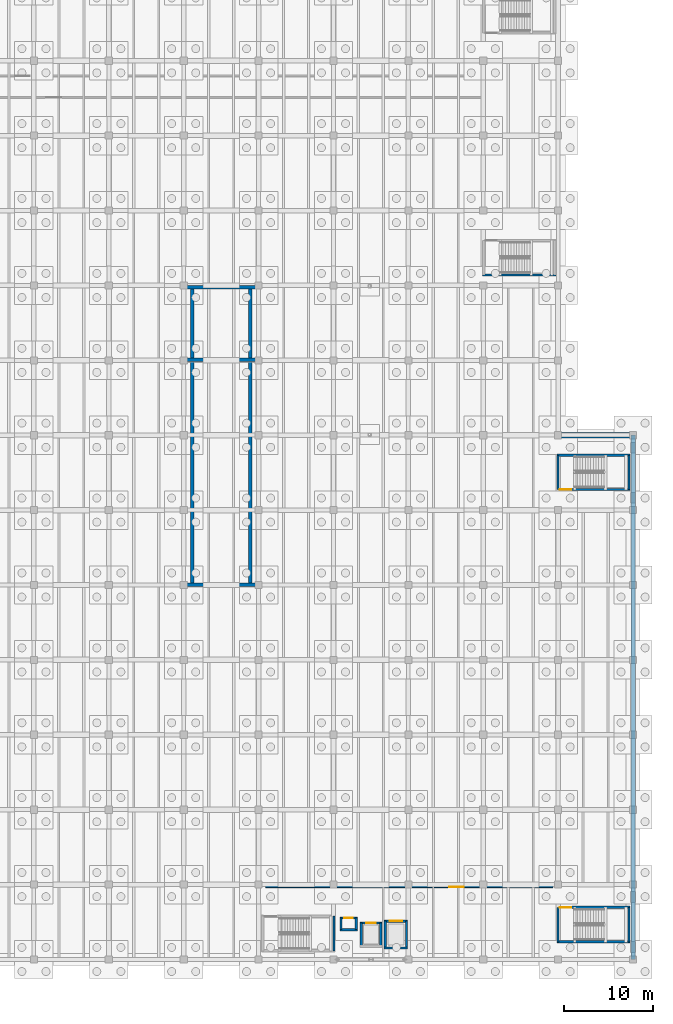
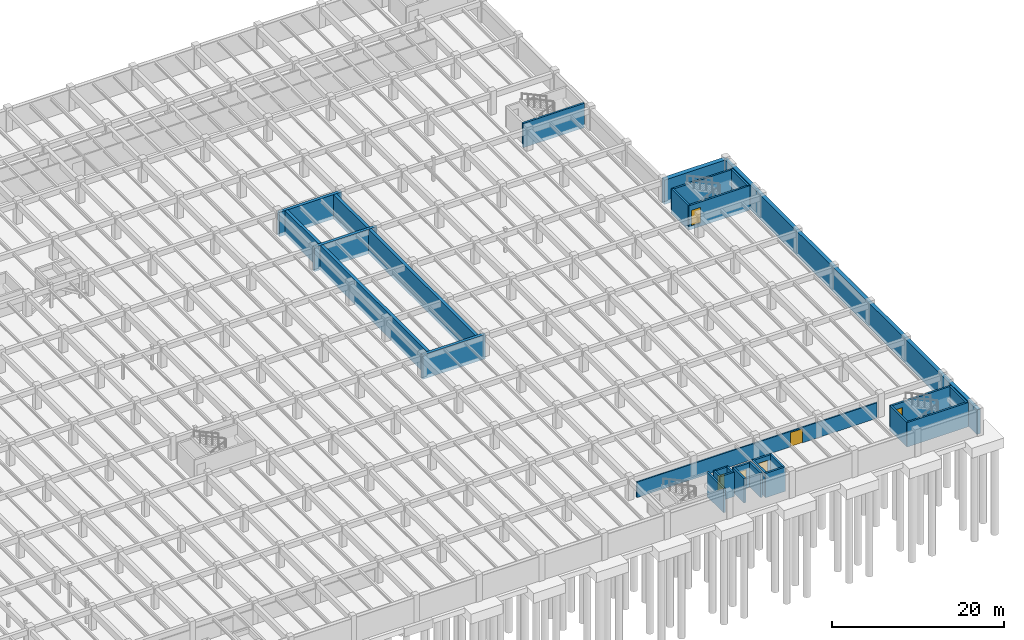
# One storey, part 51 of 70: 29 walls, 6 doors, 6 openings.
"""IFC4 building model written with IfcOpenShell, lengths in metres."""

from ifc_helpers import new_model, si_unit, direction, frame, frame_2d, origin, place, context, subcontext, project, spatial, rectangle, extrude, material, layer, layer_set, type_object, element, fill, save


model = new_model("IFC4")

# Units and contexts
model_context = context("Model", 3, precision=1e-05, world=origin(), true_north=direction((0.0, 1.0)))
body_context = subcontext(model_context, "Body", "Model", "MODEL_VIEW")
ifc_project = project(units=[si_unit("LENGTHUNIT", "METRE"), si_unit("AREAUNIT", "SQUARE_METRE"), si_unit("VOLUMEUNIT", "CUBIC_METRE"), si_unit("PLANEANGLEUNIT", "RADIAN"), si_unit("MASSUNIT", "GRAM", prefix="KILO")], contexts=[model_context])

# Site, building, storey
site_placement = place(None, origin())
site = spatial("IfcSite", under=ifc_project, at=site_placement, CompositionType="ELEMENT")
building_placement = place(site_placement, origin())
building = spatial("IfcBuilding", under=site, at=building_placement, Name="Cumbredor Promenade Congress Hotel", CompositionType="ELEMENT")
storey_placement = place(building_placement, frame((0.0, 0.0, -7.56005859375)))
storey = spatial("IfcBuildingStorey", under=building, at=storey_placement, Name="B02", CompositionType="ELEMENT", Elevation=-7.56005859375)

# Walls
ifc_material_1 = material(Name="Concrete C40/50", Category="concrete")
ifc_layer_1 = layer(ifc_material_1, 0.5, Name="Concrete C40/50", Category="concrete")
ifc_layer_set_1 = layer_set([ifc_layer_1], Name="Concrete C40/50")
wall_type_1 = type_object("IfcWallType", Name="Basement Retaining Wall 500mm", PredefinedType="USERDEFINED", material=ifc_layer_set_1)
wall_1_placement = place(storey_placement, frame((184.800048828125, 8.39990234375, -0.5), z_axis=(0.0, 0.0, 1.0), x_axis=(0.0, 1.0, 0.0)))
element("IfcWall", 1, at=wall_1_placement, inside=storey, type_object=wall_type_1, Name="B02 Basement Retaining Wall RW-B02-02", ObjectType="RETAINING WALL", PredefinedType="USERDEFINED", context=body_context, shape_type="SweptSolid", body=[
    extrude(rectangle(XDim=58.800048828125, YDim=0.5, at=frame_2d((29.39990234375, 0.0))), origin(), (0.0, 0.0, 1.0), 3.4599609375),
])
ifc_layer_2 = layer(ifc_material_1, 0.60009765625, Name="Concrete C40/50", Category="concrete")
ifc_layer_set_2 = layer_set([ifc_layer_2], Name="Concrete C40/50")
wall_type_2 = type_object("IfcWallType", Name="Basement Retaining Wall 600mm", PredefinedType="USERDEFINED", material=ifc_layer_set_2)
wall_2_placement = place(storey_placement, frame((184.800048828125, 67.199951171875, -0.5), z_axis=(0.0, 0.0, 1.0), x_axis=(-1.0, 0.0, 0.0)))
element("IfcWall", 2, at=wall_2_placement, inside=storey, type_object=wall_type_2, Name="B02 Basement Retaining Wall RW-B02-03", ObjectType="RETAINING WALL", PredefinedType="USERDEFINED", context=body_context, shape_type="SweptSolid", body=[
    extrude(rectangle(XDim=8.400146484375, YDim=0.60009765625, at=frame_2d((4.2001953125, 0.0))), origin(), (0.0, 0.0, 1.0), 3.4599609375),
])
ifc_material_2 = material(Name="Concrete C50/60", Category="concrete")
ifc_layer_3 = layer(ifc_material_2, 0.39990234375, Name="Concrete C50/60", Category="concrete")
ifc_layer_set_3 = layer_set([ifc_layer_3], Name="Concrete C50/60")
wall_type_3 = type_object("IfcWallType", Name="Seismic Shear Core Wall 400mm", PredefinedType="SHEAR", material=ifc_layer_set_3)
for number, where, z_axis, x_axis, name in (
    (3, (134.39990234375, 75.64990234375, -0.5), (0.0, 0.0, 1.0), (1.0, 0.0, 0.0), "B02 Vehicle Ramp Top Bearing Crosswall"),
    (4, (134.39990234375, 83.800048828125, -0.5), (0.0, 0.0, 1.0), (1.0, 0.0, 0.0), "B02 Vehicle Apron North Bearing Wall"),
):
    element("IfcWall", number, at=place(storey_placement, frame(where, z_axis=z_axis, x_axis=x_axis)), inside=storey, type_object=wall_type_3, Name=name, PredefinedType="SHEAR", context=body_context, shape_type="SweptSolid", body=[
        extrude(rectangle(XDim=8.400146484375, YDim=0.39990234375, at=frame_2d((4.2001953125, 0.0))), origin(), (0.0, 0.0, 1.0), 3.4599609375),
    ])
for number, where, z_axis, x_axis, name in (
    (5, (135.35009765625, 50.449951171875, -0.5), (0.0, 0.0, 1.0), (0.0, 1.0, 0.0), "B02 Vehicle Ramp West Retaining Cheek Wall"),
    (6, (141.85009765625, 50.449951171875, -0.5), (0.0, 0.0, 1.0), (0.0, 1.0, 0.0), "B02 Vehicle Ramp East Retaining Cheek Wall"),
):
    element("IfcWall", number, at=place(storey_placement, frame(where, z_axis=z_axis, x_axis=x_axis)), inside=storey, type_object=wall_type_3, Name=name, PredefinedType="SHEAR", context=body_context, shape_type="SweptSolid", body=[
        extrude(rectangle(XDim=33.35009765625, YDim=0.39990234375, at=frame_2d((16.675048828125, 0.0))), origin(), (0.0, 0.0, 1.0), 3.4599609375),
    ])
wall_3_placement = place(storey_placement, frame((134.39990234375, 50.449951171875, -0.5), z_axis=(0.0, 0.0, 1.0), x_axis=(1.0, 0.0, 0.0)))
element("IfcWall", 7, at=wall_3_placement, inside=storey, type_object=wall_type_3, Name="B02 Vehicle Ramp Bottom Bearing Crosswall", PredefinedType="SHEAR", context=body_context, shape_type="SweptSolid", body=[
    extrude(rectangle(XDim=8.400146484375, YDim=0.39990234375, at=frame_2d((4.2001953125, 0.0))), origin(), (0.0, 0.0, 1.0), 3.4599609375),
])

# Wall, opening, door
ifc_layer_4 = layer(ifc_material_1, 0.199951171875, Name="Concrete C40/50", Category="concrete")
ifc_layer_set_4 = layer_set([ifc_layer_4], Name="Concrete C40/50")
wall_type_4 = type_object("IfcWallType", Name="WL-CORE-200", PredefinedType="SOLIDWALL", material=ifc_layer_set_4)
wall_4_placement = place(storey_placement, frame((143.60009765625, 16.550048828125, 0.0), z_axis=(0.0, 0.0, 1.0), x_axis=(1.0, 0.0, 0.0)))
wall_4 = element("IfcWall", 8, at=wall_4_placement, inside=storey, type_object=wall_type_4, Name="B02 Interior Partition W-B02-CEL-S", PredefinedType="SOLIDWALL", context=body_context, shape_type="SweptSolid", body=[
    extrude(rectangle(XDim=32.199951171875, YDim=0.199951171875, at=frame_2d((16.10009765625, 0.0))), origin(), (0.0, 0.0, 1.0), 2.195068359375),
])
opening_1_placement = place(wall_4_placement, frame((20.60009765625, 0.0, 0.0)))
opening_1 = element("IfcOpeningElement", 9, at=opening_1_placement, cuts=wall_4, Name="Opening FD-17", PredefinedType="OPENING", context=body_context, shape_type="SweptSolid", body=[
    extrude(rectangle(XDim=1.6201171875, YDim=2.02001953125, at=frame_2d((0.81005859375, 1.010009765625))), frame((0.0, 0.10986328125, 0.0), z_axis=(0.0, -1.0, 0.0), x_axis=(1.0, 0.0, 0.0)), (0.0, 0.0, 1.0), 0.219970703125),
])
ifc_material_3 = material(Name="Solid-core fire-rated tropical hardwood", Category="wood")
door_type_1 = type_object("IfcDoorType", Name="DR-DBL-FD60-1600-LO", OperationType="DOUBLE_DOOR_SINGLE_SWING", PredefinedType="DOOR", material=ifc_material_3)
door_1_placement = place(opening_1_placement, origin())
door_1 = element("IfcDoor", 10, at=door_1_placement, inside=storey, type_object=door_type_1, Name="B02 Interior Door W-B02-CEL-S-01", OperationType="DOUBLE_DOOR_SINGLE_SWING", OverallHeight=2.02001953125, OverallWidth=1.6201171875, PredefinedType="DOOR", context=body_context, shape_type="SweptSolid", body=[
    extrude(rectangle(XDim=1.6201171875, YDim=2.02001953125, at=frame_2d((0.81005859375, 1.010009765625))), frame((0.0, 0.02490234375, 0.0), z_axis=(0.0, -1.0, 0.0), x_axis=(1.0, 0.0, 0.0)), (0.0, 0.0, 1.0), 0.050048828125),
])
fill(opening_1, door_1)

# Walls
ifc_layer_5 = layer(ifc_material_1, 0.2548828125, Name="Concrete C40/50", Category="concrete")
ifc_layer_set_5 = layer_set([ifc_layer_5], Name="Concrete C40/50")
wall_type_5 = type_object("IfcWallType", Name="WL-SHAFT-250", PredefinedType="SOLIDWALL", material=ifc_layer_set_5)
wall_5_placement = place(storey_placement, frame((151.25, 9.3798828125, -0.5), z_axis=(0.0, 0.0, 1.0), x_axis=(0.0, 1.0, 0.0)))
element("IfcWall", 11, at=wall_5_placement, inside=storey, type_object=wall_type_5, Name="STAIR-ST-08-B02 Shaft Wall East", PredefinedType="SOLIDWALL", context=body_context, shape_type="SweptSolid", body=[
    extrude(rectangle(XDim=3.8701171875, YDim=0.2548828125, at=frame_2d((1.93505859375, 0.0))), origin(), (0.0, 0.0, 1.0), 3.4599609375),
])
wall_6_placement = place(storey_placement, frame((176.25244140625, 10.3798828125, -0.5), z_axis=(0.0, 0.0, 1.0), x_axis=(1.0, 0.0, 0.0)))
element("IfcWall", 12, at=wall_6_placement, inside=storey, type_object=wall_type_5, Name="STAIR-ST-09-B02 Shaft Wall South", PredefinedType="SOLIDWALL", context=body_context, shape_type="SweptSolid", body=[
    extrude(rectangle(XDim=8.22509765625, YDim=0.2548828125, at=frame_2d((4.112548828125, 0.0))), origin(), (0.0, 0.0, 1.0), 3.4599609375),
])

# Wall, opening, door
wall_7_placement = place(storey_placement, frame((176.25244140625, 14.25, -0.5), z_axis=(0.0, 0.0, 1.0), x_axis=(1.0, 0.0, 0.0)))
wall_7 = element("IfcWall", 13, at=wall_7_placement, inside=storey, type_object=wall_type_5, Name="STAIR-ST-09-B02 Shaft Wall North", PredefinedType="SOLIDWALL", context=body_context, shape_type="SweptSolid", body=[
    extrude(rectangle(XDim=8.22509765625, YDim=0.2548828125, at=frame_2d((4.112548828125, 0.0))), origin(), (0.0, 0.0, 1.0), 3.4599609375),
])
opening_2_placement = place(wall_7_placement, frame((0.35009765625, 0.0, 0.5)))
opening_2 = element("IfcOpeningElement", 14, at=opening_2_placement, cuts=wall_7, Name="Opening SD-02", PredefinedType="OPENING", context=body_context, shape_type="SweptSolid", body=[
    extrude(rectangle(XDim=1.25, YDim=2.199951171875, at=frame_2d((0.625, 1.10009765625))), frame((0.0, 0.137451171875, 0.0), z_axis=(0.0, -1.0, 0.0), x_axis=(1.0, 0.0, 0.0)), (0.0, 0.0, 1.0), 0.27490234375),
])
ifc_material_4 = material(Name="Painted galvanized steel fire door", Category="steel")
door_type_2 = type_object("IfcDoorType", Name="DR-STAIR-FD90-1250", OperationType="NOTDEFINED", PredefinedType="DOOR", material=ifc_material_4)
door_2_placement = place(opening_2_placement, origin())
door_2 = element("IfcDoor", 15, at=door_2_placement, inside=storey, type_object=door_type_2, Name="B02 Protected Exit Stair ST-09 Door", OperationType="SINGLE_SWING_RIGHT", OverallHeight=2.199951171875, OverallWidth=1.25, PredefinedType="DOOR", context=body_context, shape_type="SweptSolid", body=[
    extrude(rectangle(XDim=1.25, YDim=2.199951171875, at=frame_2d((0.625, 1.10009765625))), frame((0.0, 0.02490234375, 0.0), z_axis=(0.0, -1.0, 0.0), x_axis=(1.0, 0.0, 0.0)), (0.0, 0.0, 1.0), 0.050048828125),
])
fill(opening_2, door_2)

# Walls
for number, where, z_axis, x_axis, name in (
    (16, (176.3798828125, 10.3798828125, -0.5), (0.0, 0.0, 1.0), (0.0, 1.0, 0.0), "STAIR-ST-09-B02 Shaft Wall West"),
    (17, (184.35009765625, 10.3798828125, -0.5), (0.0, 0.0, 1.0), (0.0, 1.0, 0.0), "STAIR-ST-09-B02 Shaft Wall East"),
):
    element("IfcWall", number, at=place(storey_placement, frame(where, z_axis=z_axis, x_axis=x_axis)), inside=storey, type_object=wall_type_5, Name=name, PredefinedType="SOLIDWALL", context=body_context, shape_type="SweptSolid", body=[
        extrude(rectangle(XDim=3.8701171875, YDim=0.2548828125, at=frame_2d((1.93505859375, 0.0))), origin(), (0.0, 0.0, 1.0), 3.4599609375),
    ])

# Wall, opening, door
wall_8_placement = place(storey_placement, frame((176.25244140625, 61.10009765625, -0.5), z_axis=(0.0, 0.0, 1.0), x_axis=(1.0, 0.0, 0.0)))
wall_8 = element("IfcWall", 18, at=wall_8_placement, inside=storey, type_object=wall_type_5, Name="STAIR-ST-10-B02 Shaft Wall South", PredefinedType="SOLIDWALL", context=body_context, shape_type="SweptSolid", body=[
    extrude(rectangle(XDim=8.22509765625, YDim=0.2548828125, at=frame_2d((4.112548828125, 0.0))), origin(), (0.0, 0.0, 1.0), 3.4599609375),
])
opening_3_placement = place(wall_8_placement, frame((0.35009765625, 0.0, 0.5)))
opening_3 = element("IfcOpeningElement", 19, at=opening_3_placement, cuts=wall_8, Name="Opening SD-02", PredefinedType="OPENING", context=body_context, shape_type="SweptSolid", body=[
    extrude(rectangle(XDim=1.25, YDim=2.199951171875, at=frame_2d((0.625, 1.10009765625))), frame((0.0, 0.137451171875, 0.0), z_axis=(0.0, -1.0, 0.0), x_axis=(1.0, 0.0, 0.0)), (0.0, 0.0, 1.0), 0.27490234375),
])
door_3_placement = place(opening_3_placement, origin())
door_3 = element("IfcDoor", 20, at=door_3_placement, inside=storey, type_object=door_type_2, Name="B02 Protected Exit Stair ST-10 Door", OperationType="SINGLE_SWING_LEFT", OverallHeight=2.199951171875, OverallWidth=1.25, PredefinedType="DOOR", context=body_context, shape_type="SweptSolid", body=[
    extrude(rectangle(XDim=1.25, YDim=2.199951171875, at=frame_2d((0.625, 1.10009765625))), frame((0.0, 0.02490234375, 0.0), z_axis=(0.0, -1.0, 0.0), x_axis=(1.0, 0.0, 0.0)), (0.0, 0.0, 1.0), 0.050048828125),
])
fill(opening_3, door_3)

# Walls
wall_9_placement = place(storey_placement, frame((176.25244140625, 64.949951171875, -0.5), z_axis=(0.0, 0.0, 1.0), x_axis=(1.0, 0.0, 0.0)))
element("IfcWall", 21, at=wall_9_placement, inside=storey, type_object=wall_type_5, Name="STAIR-ST-10-B02 Shaft Wall North", PredefinedType="SOLIDWALL", context=body_context, shape_type="SweptSolid", body=[
    extrude(rectangle(XDim=8.22509765625, YDim=0.2548828125, at=frame_2d((4.112548828125, 0.0))), origin(), (0.0, 0.0, 1.0), 3.4599609375),
])
for number, where, z_axis, x_axis, name in (
    (22, (176.3798828125, 61.10009765625, -0.5), (0.0, 0.0, 1.0), (0.0, 1.0, 0.0), "STAIR-ST-10-B02 Shaft Wall West"),
    (23, (184.35009765625, 61.10009765625, -0.5), (0.0, 0.0, 1.0), (0.0, 1.0, 0.0), "STAIR-ST-10-B02 Shaft Wall East"),
):
    element("IfcWall", number, at=place(storey_placement, frame(where, z_axis=z_axis, x_axis=x_axis)), inside=storey, type_object=wall_type_5, Name=name, PredefinedType="SOLIDWALL", context=body_context, shape_type="SweptSolid", body=[
        extrude(rectangle(XDim=3.849853515625, YDim=0.2548828125, at=frame_2d((1.9248046875, 0.0))), origin(), (0.0, 0.0, 1.0), 3.4599609375),
    ])
wall_10_placement = place(storey_placement, frame((167.922607421875, 85.179931640625, -0.5), z_axis=(0.0, 0.0, 1.0), x_axis=(1.0, 0.0, 0.0)))
element("IfcWall", 24, at=wall_10_placement, inside=storey, type_object=wall_type_5, Name="STAIR-ST-14-B02 Shaft Wall South", PredefinedType="SOLIDWALL", context=body_context, shape_type="SweptSolid", body=[
    extrude(rectangle(XDim=8.224853515625, YDim=0.2548828125, at=frame_2d((4.1123046875, 0.0))), origin(), (0.0, 0.0, 1.0), 3.4599609375),
])

# Wall, opening, door
wall_11_placement = place(storey_placement, frame((154.172607421875, 12.5, -0.5), z_axis=(0.0, 0.0, 1.0), x_axis=(1.0, 0.0, 0.0)))
wall_11 = element("IfcWall", 25, at=wall_11_placement, inside=storey, type_object=wall_type_5, Name="SHAFT-PL-07-B02 Shaft Wall North", PredefinedType="SOLIDWALL", context=body_context, shape_type="SweptSolid", body=[
    extrude(rectangle(XDim=2.454833984375, YDim=0.2548828125, at=frame_2d((1.2275390625, 0.0))), origin(), (0.0, 0.0, 1.0), 3.4599609375),
])
opening_4_placement = place(wall_11_placement, frame((0.677490234375, 0.0, 0.5)))
opening_4 = element("IfcOpeningElement", 26, at=opening_4_placement, cuts=wall_11, Name="Opening LD-01", PredefinedType="OPENING", context=body_context, shape_type="SweptSolid", body=[
    extrude(rectangle(XDim=1.10009765625, YDim=2.14990234375, at=frame_2d((0.550048828125, 1.074951171875))), frame((0.0, 0.137451171875, 0.0), z_axis=(0.0, -1.0, 0.0), x_axis=(1.0, 0.0, 0.0)), (0.0, 0.0, 1.0), 0.27490234375),
])
ifc_material_5 = material(Name="Brushed stainless steel", Category="steel")
door_type_3 = type_object("IfcDoorType", Name="Lift Landing Sliding Door LD-01 1100x2150", OperationType="DOUBLE_DOOR_SLIDING", PredefinedType="DOOR", material=ifc_material_5)
door_4_placement = place(opening_4_placement, origin())
door_4 = element("IfcDoor", 27, at=door_4_placement, inside=storey, type_object=door_type_3, Name="B02 Ballroom Passenger Lift PL-07 Sliding Landing Door", OperationType="DOUBLE_DOOR_SLIDING", OverallHeight=2.14990234375, OverallWidth=1.10009765625, PredefinedType="DOOR", context=body_context, shape_type="SweptSolid", body=[
    extrude(rectangle(XDim=1.10009765625, YDim=2.14990234375, at=frame_2d((0.550048828125, 1.074951171875))), frame((0.0, 0.02490234375, 0.0), z_axis=(0.0, -1.0, 0.0), x_axis=(1.0, 0.0, 0.0)), (0.0, 0.0, 1.0), 0.050048828125),
])
fill(opening_4, door_4)

# Walls
for number, where, z_axis, x_axis, name in (
    (28, (154.300048828125, 9.89990234375, -0.5), (0.0, 0.0, 1.0), (0.0, 1.0, 0.0), "SHAFT-PL-07-B02 Shaft Wall West"),
    (29, (156.5, 9.89990234375, -0.5), (0.0, 0.0, 1.0), (0.0, 1.0, 0.0), "SHAFT-PL-07-B02 Shaft Wall East"),
):
    element("IfcWall", number, at=place(storey_placement, frame(where, z_axis=z_axis, x_axis=x_axis)), inside=storey, type_object=wall_type_5, Name=name, PredefinedType="SOLIDWALL", context=body_context, shape_type="SweptSolid", body=[
        extrude(rectangle(XDim=2.60009765625, YDim=0.2548828125, at=frame_2d((1.300048828125, 0.0))), origin(), (0.0, 0.0, 1.0), 3.4599609375),
    ])
wall_12_placement = place(storey_placement, frame((156.87255859375, 9.699951171875, -0.5), z_axis=(0.0, 0.0, 1.0), x_axis=(1.0, 0.0, 0.0)))
element("IfcWall", 30, at=wall_12_placement, inside=storey, type_object=wall_type_5, Name="SHAFT-SV-02-B02 Shaft Wall South", PredefinedType="SOLIDWALL", context=body_context, shape_type="SweptSolid", body=[
    extrude(rectangle(XDim=2.655029296875, YDim=0.2548828125, at=frame_2d((1.32763671875, 0.0))), origin(), (0.0, 0.0, 1.0), 3.4599609375),
])

# Wall, opening, door
wall_13_placement = place(storey_placement, frame((156.87255859375, 12.699951171875, -0.5), z_axis=(0.0, 0.0, 1.0), x_axis=(1.0, 0.0, 0.0)))
wall_13 = element("IfcWall", 31, at=wall_13_placement, inside=storey, type_object=wall_type_5, Name="SHAFT-SV-02-B02 Shaft Wall North", PredefinedType="SOLIDWALL", context=body_context, shape_type="SweptSolid", body=[
    extrude(rectangle(XDim=2.655029296875, YDim=0.2548828125, at=frame_2d((1.32763671875, 0.0))), origin(), (0.0, 0.0, 1.0), 3.4599609375),
])
opening_5_placement = place(wall_13_placement, frame((0.62744140625, 0.0, 0.5)))
opening_5 = element("IfcOpeningElement", 32, at=opening_5_placement, cuts=wall_13, Name="Opening LD-03", PredefinedType="OPENING", context=body_context, shape_type="SweptSolid", body=[
    extrude(rectangle(XDim=1.39990234375, YDim=2.300048828125, at=frame_2d((0.699951171875, 1.14990234375))), frame((0.0, 0.137451171875, 0.0), z_axis=(0.0, -1.0, 0.0), x_axis=(1.0, 0.0, 0.0)), (0.0, 0.0, 1.0), 0.27490234375),
])
door_type_4 = type_object("IfcDoorType", Name="Service Lift Sliding Door LD-03 1400x2300", OperationType="DOUBLE_DOOR_SLIDING", PredefinedType="DOOR", material=ifc_material_5)
door_5_placement = place(opening_5_placement, origin())
door_5 = element("IfcDoor", 33, at=door_5_placement, inside=storey, type_object=door_type_4, Name="B02 Ballroom Service Lift SV-02 Sliding Landing Door", OperationType="DOUBLE_DOOR_SLIDING", OverallHeight=2.300048828125, OverallWidth=1.39990234375, PredefinedType="DOOR", context=body_context, shape_type="SweptSolid", body=[
    extrude(rectangle(XDim=1.39990234375, YDim=2.300048828125, at=frame_2d((0.699951171875, 1.14990234375))), frame((0.0, 0.02490234375, 0.0), z_axis=(0.0, -1.0, 0.0), x_axis=(1.0, 0.0, 0.0)), (0.0, 0.0, 1.0), 0.050048828125),
])
fill(opening_5, door_5)

# Walls
for number, where, z_axis, x_axis, name in (
    (34, (157.0, 9.699951171875, -0.5), (0.0, 0.0, 1.0), (0.0, 1.0, 0.0), "SHAFT-SV-02-B02 Shaft Wall West"),
    (35, (159.39990234375, 9.699951171875, -0.5), (0.0, 0.0, 1.0), (0.0, 1.0, 0.0), "SHAFT-SV-02-B02 Shaft Wall East"),
):
    element("IfcWall", number, at=place(storey_placement, frame(where, z_axis=z_axis, x_axis=x_axis)), inside=storey, type_object=wall_type_5, Name=name, PredefinedType="SOLIDWALL", context=body_context, shape_type="SweptSolid", body=[
        extrude(rectangle(XDim=3.0, YDim=0.2548828125, at=frame_2d((1.5, 0.0))), origin(), (0.0, 0.0, 1.0), 3.4599609375),
    ])
wall_14_placement = place(storey_placement, frame((151.922607421875, 11.75, -0.5), z_axis=(0.0, 0.0, 1.0), x_axis=(1.0, 0.0, 0.0)))
element("IfcWall", 36, at=wall_14_placement, inside=storey, type_object=wall_type_5, Name="RISER-MEP-R3-B02 Shaft Wall South", PredefinedType="SOLIDWALL", context=body_context, shape_type="SweptSolid", body=[
    extrude(rectangle(XDim=1.954833984375, YDim=0.2548828125, at=frame_2d((0.9775390625, 0.0))), origin(), (0.0, 0.0, 1.0), 3.4599609375),
])

# Wall, opening, door
wall_15_placement = place(storey_placement, frame((151.922607421875, 13.050048828125, -0.5), z_axis=(0.0, 0.0, 1.0), x_axis=(1.0, 0.0, 0.0)))
wall_15 = element("IfcWall", 37, at=wall_15_placement, inside=storey, type_object=wall_type_5, Name="RISER-MEP-R3-B02 Shaft Wall North", PredefinedType="SOLIDWALL", context=body_context, shape_type="SweptSolid", body=[
    extrude(rectangle(XDim=1.954833984375, YDim=0.2548828125, at=frame_2d((0.9775390625, 0.0))), origin(), (0.0, 0.0, 1.0), 3.4599609375),
])
opening_6_placement = place(wall_15_placement, frame((0.507568359375, 0.0, 0.5)))
opening_6 = element("IfcOpeningElement", 38, at=opening_6_placement, cuts=wall_15, Name="Opening FD-03", PredefinedType="OPENING", context=body_context, shape_type="SweptSolid", body=[
    extrude(rectangle(XDim=0.93994140625, YDim=2.10009765625, at=frame_2d((0.469970703125, 1.050048828125))), frame((0.0, 0.137451171875, 0.0), z_axis=(0.0, -1.0, 0.0), x_axis=(1.0, 0.0, 0.0)), (0.0, 0.0, 1.0), 0.27490234375),
])
door_type_5 = type_object("IfcDoorType", Name="DR-SGL-FD60-950", OperationType="NOTDEFINED", PredefinedType="DOOR", material=ifc_material_4)
door_6_placement = place(opening_6_placement, origin())
door_6 = element("IfcDoor", 39, at=door_6_placement, inside=storey, type_object=door_type_5, Name="B02 Ballroom MEP Riser Shaft R3 Access Door", OperationType="SINGLE_SWING_LEFT", OverallHeight=2.10009765625, OverallWidth=0.93994140625, PredefinedType="DOOR", context=body_context, shape_type="SweptSolid", body=[
    extrude(rectangle(XDim=0.93994140625, YDim=2.10009765625, at=frame_2d((0.469970703125, 1.050048828125))), frame((0.0, 0.02490234375, 0.0), z_axis=(0.0, -1.0, 0.0), x_axis=(1.0, 0.0, 0.0)), (0.0, 0.0, 1.0), 0.050048828125),
])
fill(opening_6, door_6)

# Walls
for number, where, z_axis, x_axis, name in (
    (40, (152.050048828125, 11.75, -0.5), (0.0, 0.0, 1.0), (0.0, 1.0, 0.0), "RISER-MEP-R3-B02 Shaft Wall West"),
    (41, (153.75, 11.75, -0.5), (0.0, 0.0, 1.0), (0.0, 1.0, 0.0), "RISER-MEP-R3-B02 Shaft Wall East"),
):
    element("IfcWall", number, at=place(storey_placement, frame(where, z_axis=z_axis, x_axis=x_axis)), inside=storey, type_object=wall_type_5, Name=name, PredefinedType="SOLIDWALL", context=body_context, shape_type="SweptSolid", body=[
        extrude(rectangle(XDim=1.300048828125, YDim=0.2548828125, at=frame_2d((0.64990234375, 0.0))), origin(), (0.0, 0.0, 1.0), 3.4599609375),
    ])

save(model, "model.ifc")
